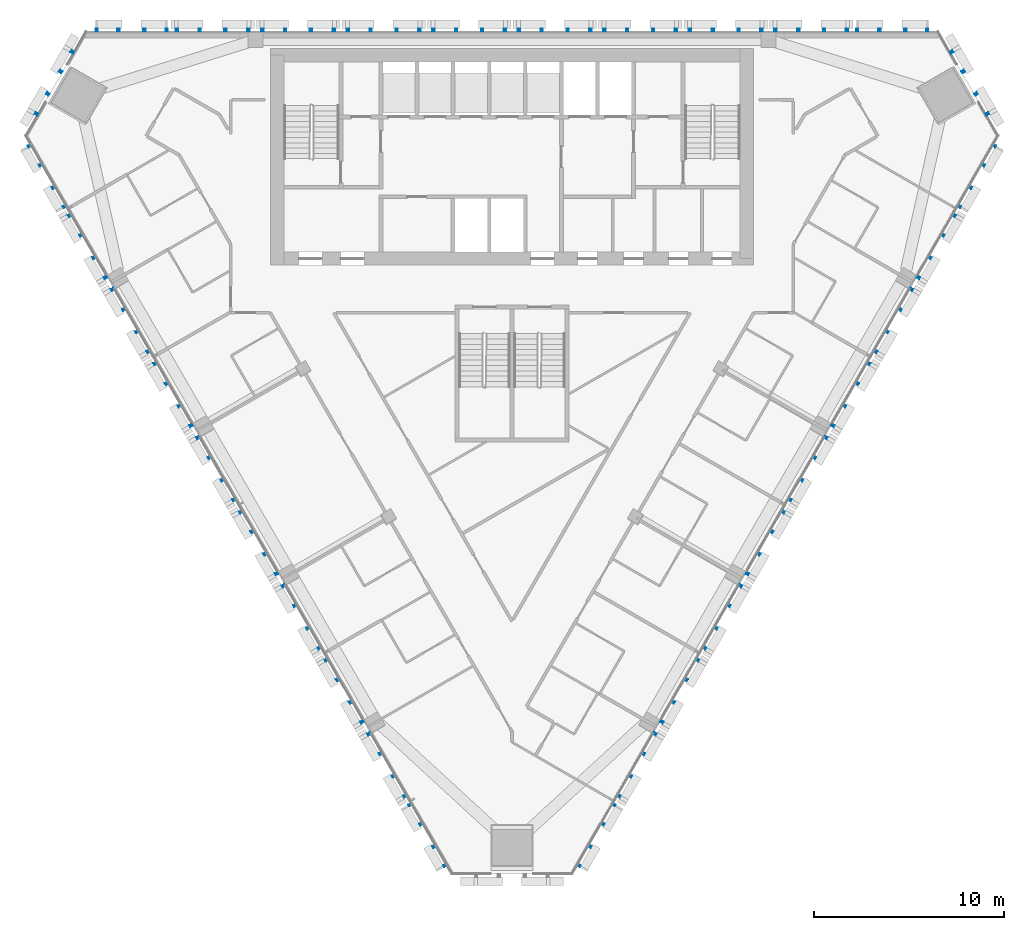
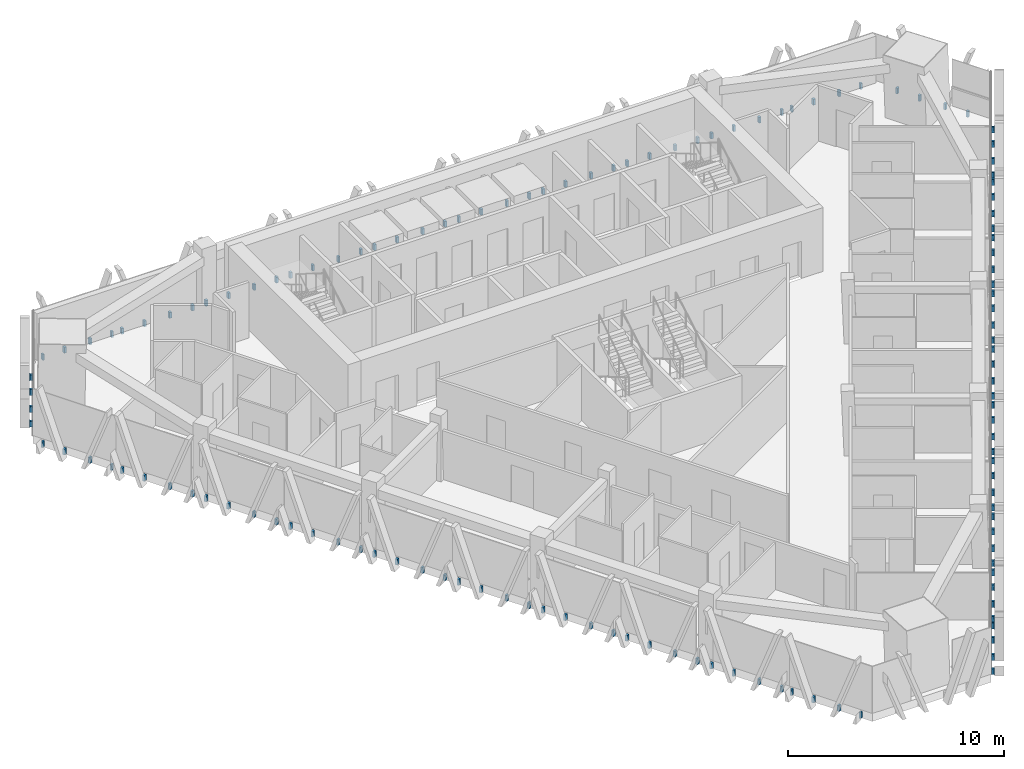
# One storey, part 13 of 16: 5 discrete accessories.
"""IFC4 building model written with IfcOpenShell, lengths in metres."""

from ifc_helpers import new_model, si_unit, direction, frame, origin, place, context, subcontext, project, spatial, polyline, outline, extrude, source, transform, mapped, material, type_object, element, save


model = new_model("IFC4")

# Units and contexts
model_context = context("Model", 3, precision=1e-05, world=origin(), true_north=direction((0.0, 1.0)))
body_context = subcontext(model_context, "Body", "Model", "MODEL_VIEW")
ifc_project = project(units=[si_unit("LENGTHUNIT", "METRE"), si_unit("AREAUNIT", "SQUARE_METRE"), si_unit("VOLUMEUNIT", "CUBIC_METRE"), si_unit("PLANEANGLEUNIT", "RADIAN"), si_unit("MASSUNIT", "GRAM", prefix="KILO")], contexts=[model_context])

# Site, building, storey
site_placement = place(None, origin())
site = spatial("IfcSite", under=ifc_project, at=site_placement, CompositionType="ELEMENT")
building_placement = place(site_placement, origin())
building = spatial("IfcBuilding", under=site, at=building_placement, Name="Altiplano Prism Tower", CompositionType="ELEMENT")
storey_placement = place(building_placement, frame((0.0, 0.0, 198.0)))
storey = spatial("IfcBuildingStorey", under=building, at=storey_placement, Name="L51", CompositionType="ELEMENT", Elevation=198.0)

# Discrete accessories
ifc_material = material(Name="Stainless steel", Category="steel")
discrete_accessory_type = type_object("IfcDiscreteAccessoryType", Name="Stone fin fixing prongs", PredefinedType="USERDEFINED", material=ifc_material)
shared_shape_1 = source(origin(), body_context, "Body", "SweptSolid", [
    extrude(outline(polyline([(-0.741943359375, 0.06005859375), (-0.621826171875, 0.06005859375), (-0.621826171875, 0.389892578125), (-0.741943359375, 0.389892578125), (-0.741943359375, 0.06005859375)])), frame((0.0, 0.0, 0.0), z_axis=(0.0, -1.0, 0.0), x_axis=(1.0, 0.0, 0.0)), (0.0, 0.0, 1.0), 0.14990234375),
    extrude(outline(polyline([(-1.889892578125, 0.06005859375), (-1.791748046875, 0.06005859375), (-1.791748046875, 0.389892578125), (-1.889892578125, 0.389892578125), (-1.889892578125, 0.06005859375)])), frame((0.0, 0.0, 0.0), z_axis=(0.0, -1.0, 0.0), x_axis=(1.0, 0.0, 0.0)), (0.0, 0.0, 1.0), 0.14990234375),
    extrude(outline(polyline([(0.621826171875, 0.06005859375), (0.741943359375, 0.06005859375), (0.741943359375, 0.389892578125), (0.621826171875, 0.389892578125), (0.621826171875, 0.06005859375)])), frame((0.0, 0.0, 0.0), z_axis=(0.0, -1.0, 0.0), x_axis=(1.0, 0.0, 0.0)), (0.0, 0.0, 1.0), 0.14990234375),
    extrude(outline(polyline([(1.791748046875, 0.06005859375), (1.889892578125, 0.06005859375), (1.889892578125, 0.389892578125), (1.791748046875, 0.389892578125), (1.791748046875, 0.06005859375)])), frame((0.0, 0.0, 0.0), z_axis=(0.0, -1.0, 0.0), x_axis=(1.0, 0.0, 0.0)), (0.0, 0.0, 1.0), 0.14990234375),
])
shared_shape_2 = source(origin(), body_context, "Body", "SweptSolid", [
    extrude(outline(polyline([(-1.94189453125, 0.06005859375), (-1.822021484375, 0.06005859375), (-1.822021484375, 0.389892578125), (-1.94189453125, 0.389892578125), (-1.94189453125, 0.06005859375)])), frame((0.0, 0.0, 0.0), z_axis=(0.0, -1.0, 0.0), x_axis=(1.0, 0.0, 0.0)), (0.0, 0.0, 1.0), 0.14990234375),
    extrude(outline(polyline([(-0.741943359375, 0.06005859375), (-0.621826171875, 0.06005859375), (-0.621826171875, 0.389892578125), (-0.741943359375, 0.389892578125), (-0.741943359375, 0.06005859375)])), frame((0.0, 0.0, 0.0), z_axis=(0.0, -1.0, 0.0), x_axis=(1.0, 0.0, 0.0)), (0.0, 0.0, 1.0), 0.14990234375),
    extrude(outline(polyline([(0.621826171875, 0.06005859375), (0.741943359375, 0.06005859375), (0.741943359375, 0.389892578125), (0.621826171875, 0.389892578125), (0.621826171875, 0.06005859375)])), frame((0.0, 0.0, 0.0), z_axis=(0.0, -1.0, 0.0), x_axis=(1.0, 0.0, 0.0)), (0.0, 0.0, 1.0), 0.14990234375),
    extrude(outline(polyline([(1.822021484375, 0.06005859375), (1.94189453125, 0.06005859375), (1.94189453125, 0.389892578125), (1.822021484375, 0.389892578125), (1.822021484375, 0.06005859375)])), frame((0.0, 0.0, 0.0), z_axis=(0.0, -1.0, 0.0), x_axis=(1.0, 0.0, 0.0)), (0.0, 0.0, 1.0), 0.14990234375),
])
discrete_accessory_1_placement = place(storey_placement, origin())
element("IfcDiscreteAccessory", 1, at=discrete_accessory_1_placement, inside=storey, type_object=discrete_accessory_type, Name="Fin fixings L51 north face", ObjectType="BRACKET", PredefinedType="USERDEFINED", context=body_context, shape_type="MappedRepresentation", body=[
    mapped(shared_shape_1, transform((105.01513671875, 105.0, -0.449951171875), x_axis=(-1.0, 0.0, 0.0), y_axis=(0.0, -1.0, 0.0), z_axis=(0.0, 0.0, 1.0))),
    mapped(shared_shape_2, transform((100.75, 105.0, -0.449951171875), x_axis=(-1.0, 0.0, 0.0), y_axis=(0.0, -1.0, 0.0), z_axis=(0.0, 0.0, 1.0))),
    mapped(shared_shape_2, transform((96.25, 105.0, -0.449951171875), x_axis=(-1.0, 0.0, 0.0), y_axis=(0.0, -1.0, 0.0), z_axis=(0.0, 0.0, 1.0))),
    mapped(shared_shape_2, transform((91.75, 105.0, -0.449951171875), x_axis=(-1.0, 0.0, 0.0), y_axis=(0.0, -1.0, 0.0), z_axis=(0.0, 0.0, 1.0))),
    mapped(shared_shape_2, transform((87.25, 105.0, -0.449951171875), x_axis=(-1.0, 0.0, 0.0), y_axis=(0.0, -1.0, 0.0), z_axis=(0.0, 0.0, 1.0))),
    mapped(shared_shape_2, transform((82.75, 105.0, -0.449951171875), x_axis=(-1.0, 0.0, 0.0), y_axis=(0.0, -1.0, 0.0), z_axis=(0.0, 0.0, 1.0))),
    mapped(shared_shape_2, transform((78.25, 105.0, -0.449951171875), x_axis=(-1.0, 0.0, 0.0), y_axis=(0.0, -1.0, 0.0), z_axis=(0.0, 0.0, 1.0))),
    mapped(shared_shape_2, transform((73.75, 105.0, -0.449951171875), x_axis=(-1.0, 0.0, 0.0), y_axis=(0.0, -1.0, 0.0), z_axis=(0.0, 0.0, 1.0))),
    mapped(shared_shape_2, transform((69.25, 105.0, -0.449951171875), x_axis=(-1.0, 0.0, 0.0), y_axis=(0.0, -1.0, 0.0), z_axis=(0.0, 0.0, 1.0))),
    mapped(shared_shape_1, transform((64.98486328125, 105.0, -0.449951171875), x_axis=(-1.0, 0.0, 0.0), y_axis=(0.0, -1.0, 0.0), z_axis=(0.0, 0.0, 1.0))),
])
discrete_accessory_2_placement = place(storey_placement, origin())
element("IfcDiscreteAccessory", 2, at=discrete_accessory_2_placement, inside=storey, type_object=discrete_accessory_type, Name="Fin fixings L51 south-west face", ObjectType="BRACKET", PredefinedType="USERDEFINED", context=body_context, shape_type="MappedRepresentation", body=[
    mapped(shared_shape_1, transform((60.60546875, 97.41455078125, -0.449951171875), x_axis=(0.499999990992, -0.866025408985, 0.0), y_axis=(0.866025408985, 0.499999990992, 0.0), z_axis=(0.0, 0.0, 1.0))),
    mapped(shared_shape_2, transform((62.738037109375, 93.720947265625, -0.449951171875), x_axis=(0.499999990992, -0.866025408985, 0.0), y_axis=(0.866025408985, 0.499999990992, 0.0), z_axis=(0.0, 0.0, 1.0))),
    mapped(shared_shape_2, transform((64.988037109375, 89.82373046875, -0.449951171875), x_axis=(0.499999990992, -0.866025408985, 0.0), y_axis=(0.866025408985, 0.499999990992, 0.0), z_axis=(0.0, 0.0, 1.0))),
    mapped(shared_shape_2, transform((67.238037109375, 85.926513671875, -0.449951171875), x_axis=(0.499999990992, -0.866025408985, 0.0), y_axis=(0.866025408985, 0.499999990992, 0.0), z_axis=(0.0, 0.0, 1.0))),
    mapped(shared_shape_2, transform((69.488037109375, 82.029541015625, -0.449951171875), x_axis=(0.499999990992, -0.866025408985, 0.0), y_axis=(0.866025408985, 0.499999990992, 0.0), z_axis=(0.0, 0.0, 1.0))),
    mapped(shared_shape_2, transform((71.738037109375, 78.13232421875, -0.449951171875), x_axis=(0.499999990992, -0.866025408985, 0.0), y_axis=(0.866025408985, 0.499999990992, 0.0), z_axis=(0.0, 0.0, 1.0))),
    mapped(shared_shape_2, transform((73.988037109375, 74.2353515625, -0.449951171875), x_axis=(0.499999990992, -0.866025408985, 0.0), y_axis=(0.866025408985, 0.499999990992, 0.0), z_axis=(0.0, 0.0, 1.0))),
    mapped(shared_shape_2, transform((76.238037109375, 70.338134765625, -0.449951171875), x_axis=(0.499999990992, -0.866025408985, 0.0), y_axis=(0.866025408985, 0.499999990992, 0.0), z_axis=(0.0, 0.0, 1.0))),
    mapped(shared_shape_2, transform((78.488037109375, 66.441162109375, -0.449951171875), x_axis=(0.499999990992, -0.866025408985, 0.0), y_axis=(0.866025408985, 0.499999990992, 0.0), z_axis=(0.0, 0.0, 1.0))),
    mapped(shared_shape_1, transform((80.62060546875, 62.747314453125, -0.449951171875), x_axis=(0.499999990992, -0.866025408985, 0.0), y_axis=(0.866025408985, 0.499999990992, 0.0), z_axis=(0.0, 0.0, 1.0))),
])
discrete_accessory_3_placement = place(storey_placement, origin())
element("IfcDiscreteAccessory", 3, at=discrete_accessory_3_placement, inside=storey, type_object=discrete_accessory_type, Name="Fin fixings L51 south-east face", ObjectType="BRACKET", PredefinedType="USERDEFINED", context=body_context, shape_type="MappedRepresentation", body=[
    mapped(shared_shape_1, transform((89.37939453125, 62.747314453125, -0.449951171875), x_axis=(0.499999990992, 0.866025408985, 0.0), y_axis=(-0.866025408985, 0.499999990992, 0.0), z_axis=(0.0, 0.0, 1.0))),
    mapped(shared_shape_2, transform((91.511962890625, 66.441162109375, -0.449951171875), x_axis=(0.499999990992, 0.866025408985, 0.0), y_axis=(-0.866025408985, 0.499999990992, 0.0), z_axis=(0.0, 0.0, 1.0))),
    mapped(shared_shape_2, transform((93.761962890625, 70.338134765625, -0.449951171875), x_axis=(0.499999990992, 0.866025408985, 0.0), y_axis=(-0.866025408985, 0.499999990992, 0.0), z_axis=(0.0, 0.0, 1.0))),
    mapped(shared_shape_2, transform((96.011962890625, 74.2353515625, -0.449951171875), x_axis=(0.499999990992, 0.866025408985, 0.0), y_axis=(-0.866025408985, 0.499999990992, 0.0), z_axis=(0.0, 0.0, 1.0))),
    mapped(shared_shape_2, transform((98.261962890625, 78.13232421875, -0.449951171875), x_axis=(0.499999990992, 0.866025408985, 0.0), y_axis=(-0.866025408985, 0.499999990992, 0.0), z_axis=(0.0, 0.0, 1.0))),
    mapped(shared_shape_2, transform((100.511962890625, 82.029541015625, -0.449951171875), x_axis=(0.499999990992, 0.866025408985, 0.0), y_axis=(-0.866025408985, 0.499999990992, 0.0), z_axis=(0.0, 0.0, 1.0))),
    mapped(shared_shape_2, transform((102.761962890625, 85.926513671875, -0.449951171875), x_axis=(0.499999990992, 0.866025408985, 0.0), y_axis=(-0.866025408985, 0.499999990992, 0.0), z_axis=(0.0, 0.0, 1.0))),
    mapped(shared_shape_2, transform((105.011962890625, 89.82373046875, -0.449951171875), x_axis=(0.499999990992, 0.866025408985, 0.0), y_axis=(-0.866025408985, 0.499999990992, 0.0), z_axis=(0.0, 0.0, 1.0))),
    mapped(shared_shape_2, transform((107.261962890625, 93.720947265625, -0.449951171875), x_axis=(0.499999990992, 0.866025408985, 0.0), y_axis=(-0.866025408985, 0.499999990992, 0.0), z_axis=(0.0, 0.0, 1.0))),
    mapped(shared_shape_1, transform((109.39453125, 97.41455078125, -0.449951171875), x_axis=(0.499999990992, 0.866025408985, 0.0), y_axis=(-0.866025408985, 0.499999990992, 0.0), z_axis=(0.0, 0.0, 1.0))),
])
shared_shape_3 = source(origin(), body_context, "Body", "SweptSolid", [
    extrude(outline(polyline([(-1.94189453125, 0.06005859375), (-1.822021484375, 0.06005859375), (-1.822021484375, 0.389892578125), (-1.94189453125, 0.389892578125), (-1.94189453125, 0.06005859375)])), frame((0.0, 0.0, 0.0), z_axis=(0.0, -1.0, 0.0), x_axis=(1.0, 0.0, 0.0)), (0.0, 0.0, 1.0), 0.14990234375),
    extrude(outline(polyline([(-0.741943359375, 0.06005859375), (-0.621826171875, 0.06005859375), (-0.621826171875, 0.389892578125), (-0.741943359375, 0.389892578125), (-0.741943359375, 0.06005859375)])), frame((0.0, 0.0, 0.0), z_axis=(0.0, -1.0, 0.0), x_axis=(1.0, 0.0, 0.0)), (0.0, 0.0, 1.0), 0.14990234375),
    extrude(outline(polyline([(0.621826171875, 0.06005859375), (0.741943359375, 0.06005859375), (0.741943359375, 0.389892578125), (0.621826171875, 0.389892578125), (0.621826171875, 0.06005859375)])), frame((0.0, 0.0, 0.0), z_axis=(0.0, -1.0, 0.0), x_axis=(1.0, 0.0, 0.0)), (0.0, 0.0, 1.0), 0.14990234375),
    extrude(outline(polyline([(1.822021484375, 0.06005859375), (1.94189453125, 0.06005859375), (1.94189453125, 0.389892578125), (1.822021484375, 0.389892578125), (1.822021484375, 0.06005859375)])), frame((0.0, 0.0, 0.0), z_axis=(0.0, -1.0, 0.0), x_axis=(1.0, 0.0, 0.0)), (0.0, 0.0, 1.0), 0.14990234375),
])
discrete_accessory_4_placement = place(storey_placement, origin())
element("IfcDiscreteAccessory", 4, at=discrete_accessory_4_placement, inside=storey, type_object=discrete_accessory_type, Name="Fin fixings L51 north-west chamfer", ObjectType="BRACKET", PredefinedType="USERDEFINED", context=body_context, shape_type="MappedRepresentation", body=[
    mapped(shared_shape_3, transform((60.98388671875, 102.2529296875, -0.449951171875), x_axis=(-0.500000041799, -0.866025379652, 0.0), y_axis=(0.866025379652, -0.500000041799, 0.0), z_axis=(0.0, 0.0, 1.0))),
])
discrete_accessory_5_placement = place(storey_placement, origin())
element("IfcDiscreteAccessory", 5, at=discrete_accessory_5_placement, inside=storey, type_object=discrete_accessory_type, Name="Fin fixings L51 north-east chamfer", ObjectType="BRACKET", PredefinedType="USERDEFINED", context=body_context, shape_type="MappedRepresentation", body=[
    mapped(shared_shape_3, transform((109.01611328125, 102.2529296875, -0.449951171875), x_axis=(-0.500000041799, 0.866025379652, 0.0), y_axis=(-0.866025379652, -0.500000041799, 0.0), z_axis=(0.0, 0.0, 1.0))),
])

save(model, "model.ifc")
